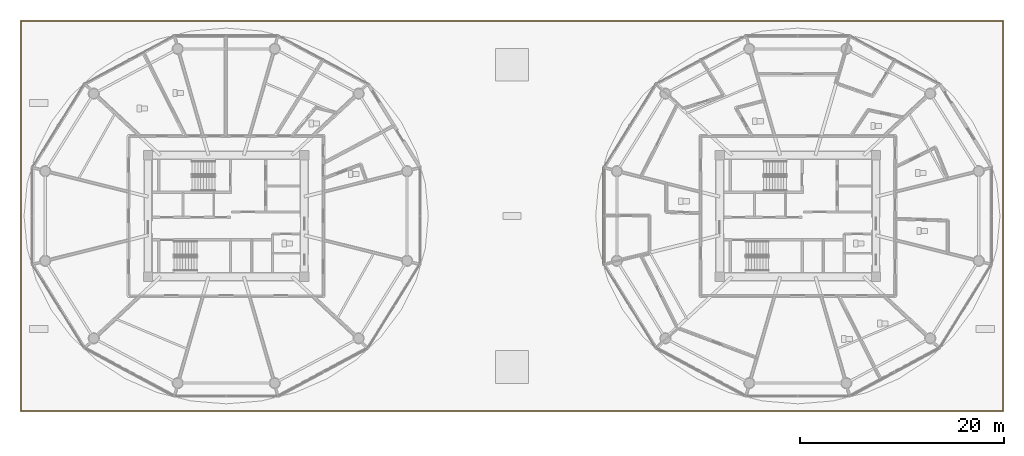
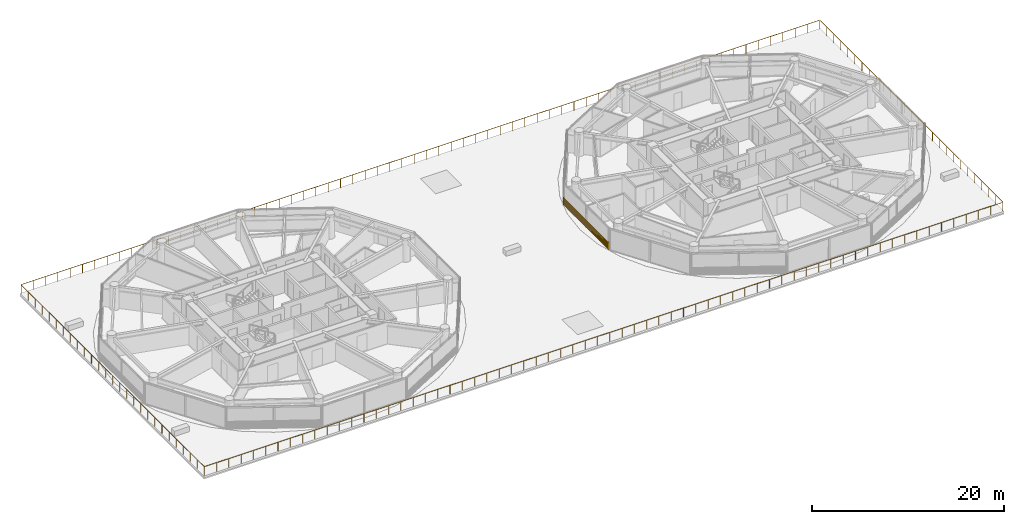
# One storey, part 26 of 32: 1 railing, 1 shading device.
"""IFC4 building model written with IfcOpenShell, lengths in metres."""

from ifc_helpers import new_model, si_unit, direction, frame, origin, origin_2d, place, context, subcontext, project, spatial, rectangle, extrude, source, transform, mapped, material, type_object, type_shapes, element, save


model = new_model("IFC4")

# Units and contexts
model_context = context("Model", 3, precision=1e-05, world=origin(), true_north=direction((0.0, 1.0)))
body_context = subcontext(model_context, "Body", "Model", "MODEL_VIEW")
ifc_project = project(units=[si_unit("LENGTHUNIT", "METRE"), si_unit("AREAUNIT", "SQUARE_METRE"), si_unit("VOLUMEUNIT", "CUBIC_METRE"), si_unit("PLANEANGLEUNIT", "RADIAN"), si_unit("MASSUNIT", "GRAM", prefix="KILO")], contexts=[model_context])

# Site, building, storey
site_placement = place(None, origin())
site = spatial("IfcSite", under=ifc_project, at=site_placement, CompositionType="ELEMENT")
building_placement = place(site_placement, origin())
building = spatial("IfcBuilding", under=site, at=building_placement, Name="Norrkilde Senior Care Towers", CompositionType="ELEMENT")
storey_placement = place(building_placement, frame((0.0, 0.0, 21.60009765625)))
storey = spatial("IfcBuildingStorey", under=building, at=storey_placement, Name="L05", CompositionType="ELEMENT", Elevation=21.60009765625)

# Railing
ifc_material_1 = material(Name="Anodised Aluminium", Category="aluminium")
railing_type = type_object("IfcRailingType", Name="Balcony Swirl Ribbon Guardrail 1150", PredefinedType="GUARDRAIL", material=ifc_material_1)
railing_placement = place(storey_placement, frame((-48.1201171875, -19.1201171875, 0.0)))
element("IfcRailing", 1, at=railing_placement, inside=storey, type_object=railing_type, Name="L05 Perimeter Safety Guard 01", PredefinedType="GUARDRAIL", context=body_context, shape_type="SweptSolid", body=[
    extrude(rectangle(XDim=0.048095703125, YDim=0.048095703125, at=origin_2d()), frame((0.0, 0.0, 1.1259765625), z_axis=(0.0, 1.0, 0.0), x_axis=(-1.0, 0.0, 0.0)), (0.0, 0.0, 1.0), 38.199462890625),
    extrude(rectangle(XDim=0.048095703125, YDim=0.048095703125, at=origin_2d()), frame((0.040771484375, 38.240234375, 1.1259765625), z_axis=(1.0, 0.0, 0.0), x_axis=(0.0, 1.0, 0.0)), (0.0, 0.0, 1.0), 96.158447265625),
    extrude(rectangle(XDim=0.048095703125, YDim=0.048095703125, at=origin_2d()), frame((96.240234375, 38.199462890625, 1.1259765625), z_axis=(0.0, -1.0, 0.0), x_axis=(1.0, 0.0, 0.0)), (0.0, 0.0, 1.0), 38.158447265625),
    extrude(rectangle(XDim=0.048095703125, YDim=0.048095703125, at=origin_2d()), frame((96.199462890625, 0.0, 1.1259765625), z_axis=(-1.0, 0.0, 0.0), x_axis=(0.0, -1.0, 0.0)), (0.0, 0.0, 1.0), 96.199462890625),
    extrude(rectangle(XDim=0.0419921875, YDim=0.0419921875, at=origin_2d()), origin(), (0.0, 0.0, 1.0), 1.099853515625),
    extrude(rectangle(XDim=0.0419921875, YDim=0.0419921875, at=origin_2d()), frame((0.0, 1.470703125, 0.0)), (0.0, 0.0, 1.0), 1.099853515625),
    extrude(rectangle(XDim=0.0419921875, YDim=0.0419921875, at=origin_2d()), frame((0.0, 2.941650390625, 0.0)), (0.0, 0.0, 1.0), 1.099853515625),
    extrude(rectangle(XDim=0.0419921875, YDim=0.0419921875, at=origin_2d()), frame((0.0, 4.412353515625, 0.0)), (0.0, 0.0, 1.0), 1.099853515625),
    extrude(rectangle(XDim=0.0419921875, YDim=0.0419921875, at=origin_2d()), frame((0.0, 5.883056640625, 0.0)), (0.0, 0.0, 1.0), 1.099853515625),
    extrude(rectangle(XDim=0.0419921875, YDim=0.0419921875, at=origin_2d()), frame((0.0, 7.35400390625, 0.0)), (0.0, 0.0, 1.0), 1.099853515625),
    extrude(rectangle(XDim=0.0419921875, YDim=0.0419921875, at=origin_2d()), frame((0.0, 8.82470703125, 0.0)), (0.0, 0.0, 1.0), 1.099853515625),
    extrude(rectangle(XDim=0.0419921875, YDim=0.0419921875, at=origin_2d()), frame((0.0, 10.29541015625, 0.0)), (0.0, 0.0, 1.0), 1.099853515625),
    extrude(rectangle(XDim=0.0419921875, YDim=0.0419921875, at=origin_2d()), frame((0.0, 11.76611328125, 0.0)), (0.0, 0.0, 1.0), 1.099853515625),
    extrude(rectangle(XDim=0.0419921875, YDim=0.0419921875, at=origin_2d()), frame((0.0, 13.237060546875, 0.0)), (0.0, 0.0, 1.0), 1.099853515625),
    extrude(rectangle(XDim=0.0419921875, YDim=0.0419921875, at=origin_2d()), frame((0.0, 14.707763671875, 0.0)), (0.0, 0.0, 1.0), 1.099853515625),
    extrude(rectangle(XDim=0.0419921875, YDim=0.0419921875, at=origin_2d()), frame((0.0, 16.178466796875, 0.0)), (0.0, 0.0, 1.0), 1.099853515625),
    extrude(rectangle(XDim=0.0419921875, YDim=0.0419921875, at=origin_2d()), frame((0.0, 17.6494140625, 0.0)), (0.0, 0.0, 1.0), 1.099853515625),
    extrude(rectangle(XDim=0.0419921875, YDim=0.0419921875, at=origin_2d()), frame((0.0, 19.1201171875, 0.0)), (0.0, 0.0, 1.0), 1.099853515625),
    extrude(rectangle(XDim=0.0419921875, YDim=0.0419921875, at=origin_2d()), frame((0.0, 20.5908203125, 0.0)), (0.0, 0.0, 1.0), 1.099853515625),
    extrude(rectangle(XDim=0.0419921875, YDim=0.0419921875, at=origin_2d()), frame((0.0, 22.061767578125, 0.0)), (0.0, 0.0, 1.0), 1.099853515625),
    extrude(rectangle(XDim=0.0419921875, YDim=0.0419921875, at=origin_2d()), frame((0.0, 23.532470703125, 0.0)), (0.0, 0.0, 1.0), 1.099853515625),
    extrude(rectangle(XDim=0.0419921875, YDim=0.0419921875, at=origin_2d()), frame((0.0, 25.003173828125, 0.0)), (0.0, 0.0, 1.0), 1.099853515625),
    extrude(rectangle(XDim=0.0419921875, YDim=0.0419921875, at=origin_2d()), frame((0.0, 26.47412109375, 0.0)), (0.0, 0.0, 1.0), 1.099853515625),
    extrude(rectangle(XDim=0.0419921875, YDim=0.0419921875, at=origin_2d()), frame((0.0, 27.94482421875, 0.0)), (0.0, 0.0, 1.0), 1.099853515625),
    extrude(rectangle(XDim=0.0419921875, YDim=0.0419921875, at=origin_2d()), frame((0.0, 29.41552734375, 0.0)), (0.0, 0.0, 1.0), 1.099853515625),
    extrude(rectangle(XDim=0.0419921875, YDim=0.0419921875, at=origin_2d()), frame((0.0, 30.88623046875, 0.0)), (0.0, 0.0, 1.0), 1.099853515625),
    extrude(rectangle(XDim=0.0419921875, YDim=0.0419921875, at=origin_2d()), frame((0.0, 32.357177734375, 0.0)), (0.0, 0.0, 1.0), 1.099853515625),
    extrude(rectangle(XDim=0.0419921875, YDim=0.0419921875, at=origin_2d()), frame((0.0, 33.827880859375, 0.0)), (0.0, 0.0, 1.0), 1.099853515625),
    extrude(rectangle(XDim=0.0419921875, YDim=0.0419921875, at=origin_2d()), frame((0.0, 35.298583984375, 0.0)), (0.0, 0.0, 1.0), 1.099853515625),
    extrude(rectangle(XDim=0.0419921875, YDim=0.0419921875, at=origin_2d()), frame((0.0, 36.76953125, 0.0)), (0.0, 0.0, 1.0), 1.099853515625),
    extrude(rectangle(XDim=0.0419921875, YDim=0.0419921875, at=origin_2d()), frame((0.0, 38.240234375, 0.0)), (0.0, 0.0, 1.0), 1.099853515625),
    extrude(rectangle(XDim=0.0419921875, YDim=0.0419921875, at=origin_2d()), frame((1.480712890625, 38.240234375, 0.0)), (0.0, 0.0, 1.0), 1.099853515625),
    extrude(rectangle(XDim=0.0419921875, YDim=0.0419921875, at=origin_2d()), frame((2.961181640625, 38.240234375, 0.0)), (0.0, 0.0, 1.0), 1.099853515625),
    extrude(rectangle(XDim=0.0419921875, YDim=0.0419921875, at=origin_2d()), frame((4.44189453125, 38.240234375, 0.0)), (0.0, 0.0, 1.0), 1.099853515625),
    extrude(rectangle(XDim=0.0419921875, YDim=0.0419921875, at=origin_2d()), frame((5.92236328125, 38.240234375, 0.0)), (0.0, 0.0, 1.0), 1.099853515625),
    extrude(rectangle(XDim=0.0419921875, YDim=0.0419921875, at=origin_2d()), frame((7.403076171875, 38.240234375, 0.0)), (0.0, 0.0, 1.0), 1.099853515625),
    extrude(rectangle(XDim=0.0419921875, YDim=0.0419921875, at=origin_2d()), frame((8.8837890625, 38.240234375, 0.0)), (0.0, 0.0, 1.0), 1.099853515625),
    extrude(rectangle(XDim=0.0419921875, YDim=0.0419921875, at=origin_2d()), frame((10.3642578125, 38.240234375, 0.0)), (0.0, 0.0, 1.0), 1.099853515625),
    extrude(rectangle(XDim=0.0419921875, YDim=0.0419921875, at=origin_2d()), frame((11.844970703125, 38.240234375, 0.0)), (0.0, 0.0, 1.0), 1.099853515625),
    extrude(rectangle(XDim=0.0419921875, YDim=0.0419921875, at=origin_2d()), frame((13.32568359375, 38.240234375, 0.0)), (0.0, 0.0, 1.0), 1.099853515625),
    extrude(rectangle(XDim=0.0419921875, YDim=0.0419921875, at=origin_2d()), frame((14.80615234375, 38.240234375, 0.0)), (0.0, 0.0, 1.0), 1.099853515625),
    extrude(rectangle(XDim=0.0419921875, YDim=0.0419921875, at=origin_2d()), frame((16.286865234375, 38.240234375, 0.0)), (0.0, 0.0, 1.0), 1.099853515625),
    extrude(rectangle(XDim=0.0419921875, YDim=0.0419921875, at=origin_2d()), frame((17.767333984375, 38.240234375, 0.0)), (0.0, 0.0, 1.0), 1.099853515625),
    extrude(rectangle(XDim=0.0419921875, YDim=0.0419921875, at=origin_2d()), frame((19.248046875, 38.240234375, 0.0)), (0.0, 0.0, 1.0), 1.099853515625),
    extrude(rectangle(XDim=0.0419921875, YDim=0.0419921875, at=origin_2d()), frame((20.728759765625, 38.240234375, 0.0)), (0.0, 0.0, 1.0), 1.099853515625),
    extrude(rectangle(XDim=0.0419921875, YDim=0.0419921875, at=origin_2d()), frame((22.209228515625, 38.240234375, 0.0)), (0.0, 0.0, 1.0), 1.099853515625),
    extrude(rectangle(XDim=0.0419921875, YDim=0.0419921875, at=origin_2d()), frame((23.68994140625, 38.240234375, 0.0)), (0.0, 0.0, 1.0), 1.099853515625),
    extrude(rectangle(XDim=0.0419921875, YDim=0.0419921875, at=origin_2d()), frame((25.17041015625, 38.240234375, 0.0)), (0.0, 0.0, 1.0), 1.099853515625),
    extrude(rectangle(XDim=0.0419921875, YDim=0.0419921875, at=origin_2d()), frame((26.651123046875, 38.240234375, 0.0)), (0.0, 0.0, 1.0), 1.099853515625),
    extrude(rectangle(XDim=0.0419921875, YDim=0.0419921875, at=origin_2d()), frame((28.1318359375, 38.240234375, 0.0)), (0.0, 0.0, 1.0), 1.099853515625),
    extrude(rectangle(XDim=0.0419921875, YDim=0.0419921875, at=origin_2d()), frame((29.6123046875, 38.240234375, 0.0)), (0.0, 0.0, 1.0), 1.099853515625),
    extrude(rectangle(XDim=0.0419921875, YDim=0.0419921875, at=origin_2d()), frame((31.093017578125, 38.240234375, 0.0)), (0.0, 0.0, 1.0), 1.099853515625),
    extrude(rectangle(XDim=0.0419921875, YDim=0.0419921875, at=origin_2d()), frame((32.57373046875, 38.240234375, 0.0)), (0.0, 0.0, 1.0), 1.099853515625),
    extrude(rectangle(XDim=0.0419921875, YDim=0.0419921875, at=origin_2d()), frame((34.05419921875, 38.240234375, 0.0)), (0.0, 0.0, 1.0), 1.099853515625),
    extrude(rectangle(XDim=0.0419921875, YDim=0.0419921875, at=origin_2d()), frame((35.534912109375, 38.240234375, 0.0)), (0.0, 0.0, 1.0), 1.099853515625),
    extrude(rectangle(XDim=0.0419921875, YDim=0.0419921875, at=origin_2d()), frame((37.015380859375, 38.240234375, 0.0)), (0.0, 0.0, 1.0), 1.099853515625),
    extrude(rectangle(XDim=0.0419921875, YDim=0.0419921875, at=origin_2d()), frame((38.49609375, 38.240234375, 0.0)), (0.0, 0.0, 1.0), 1.099853515625),
    extrude(rectangle(XDim=0.0419921875, YDim=0.0419921875, at=origin_2d()), frame((39.976806640625, 38.240234375, 0.0)), (0.0, 0.0, 1.0), 1.099853515625),
    extrude(rectangle(XDim=0.0419921875, YDim=0.0419921875, at=origin_2d()), frame((41.457275390625, 38.240234375, 0.0)), (0.0, 0.0, 1.0), 1.099853515625),
    extrude(rectangle(XDim=0.0419921875, YDim=0.0419921875, at=origin_2d()), frame((42.93798828125, 38.240234375, 0.0)), (0.0, 0.0, 1.0), 1.099853515625),
    extrude(rectangle(XDim=0.0419921875, YDim=0.0419921875, at=origin_2d()), frame((44.41845703125, 38.240234375, 0.0)), (0.0, 0.0, 1.0), 1.099853515625),
    extrude(rectangle(XDim=0.0419921875, YDim=0.0419921875, at=origin_2d()), frame((45.899169921875, 38.240234375, 0.0)), (0.0, 0.0, 1.0), 1.099853515625),
    extrude(rectangle(XDim=0.0419921875, YDim=0.0419921875, at=origin_2d()), frame((47.3798828125, 38.240234375, 0.0)), (0.0, 0.0, 1.0), 1.099853515625),
    extrude(rectangle(XDim=0.0419921875, YDim=0.0419921875, at=origin_2d()), frame((48.8603515625, 38.240234375, 0.0)), (0.0, 0.0, 1.0), 1.099853515625),
    extrude(rectangle(XDim=0.0419921875, YDim=0.0419921875, at=origin_2d()), frame((50.341064453125, 38.240234375, 0.0)), (0.0, 0.0, 1.0), 1.099853515625),
    extrude(rectangle(XDim=0.0419921875, YDim=0.0419921875, at=origin_2d()), frame((51.82177734375, 38.240234375, 0.0)), (0.0, 0.0, 1.0), 1.099853515625),
    extrude(rectangle(XDim=0.0419921875, YDim=0.0419921875, at=origin_2d()), frame((53.30224609375, 38.240234375, 0.0)), (0.0, 0.0, 1.0), 1.099853515625),
    extrude(rectangle(XDim=0.0419921875, YDim=0.0419921875, at=origin_2d()), frame((54.782958984375, 38.240234375, 0.0)), (0.0, 0.0, 1.0), 1.099853515625),
    extrude(rectangle(XDim=0.0419921875, YDim=0.0419921875, at=origin_2d()), frame((56.263427734375, 38.240234375, 0.0)), (0.0, 0.0, 1.0), 1.099853515625),
    extrude(rectangle(XDim=0.0419921875, YDim=0.0419921875, at=origin_2d()), frame((57.744140625, 38.240234375, 0.0)), (0.0, 0.0, 1.0), 1.099853515625),
    extrude(rectangle(XDim=0.0419921875, YDim=0.0419921875, at=origin_2d()), frame((59.224853515625, 38.240234375, 0.0)), (0.0, 0.0, 1.0), 1.099853515625),
    extrude(rectangle(XDim=0.0419921875, YDim=0.0419921875, at=origin_2d()), frame((60.705322265625, 38.240234375, 0.0)), (0.0, 0.0, 1.0), 1.099853515625),
    extrude(rectangle(XDim=0.0419921875, YDim=0.0419921875, at=origin_2d()), frame((62.18603515625, 38.240234375, 0.0)), (0.0, 0.0, 1.0), 1.099853515625),
    extrude(rectangle(XDim=0.0419921875, YDim=0.0419921875, at=origin_2d()), frame((63.66650390625, 38.240234375, 0.0)), (0.0, 0.0, 1.0), 1.099853515625),
    extrude(rectangle(XDim=0.0419921875, YDim=0.0419921875, at=origin_2d()), frame((65.147216796875, 38.240234375, 0.0)), (0.0, 0.0, 1.0), 1.099853515625),
    extrude(rectangle(XDim=0.0419921875, YDim=0.0419921875, at=origin_2d()), frame((66.6279296875, 38.240234375, 0.0)), (0.0, 0.0, 1.0), 1.099853515625),
    extrude(rectangle(XDim=0.0419921875, YDim=0.0419921875, at=origin_2d()), frame((68.1083984375, 38.240234375, 0.0)), (0.0, 0.0, 1.0), 1.099853515625),
    extrude(rectangle(XDim=0.0419921875, YDim=0.0419921875, at=origin_2d()), frame((69.589111328125, 38.240234375, 0.0)), (0.0, 0.0, 1.0), 1.099853515625),
    extrude(rectangle(XDim=0.0419921875, YDim=0.0419921875, at=origin_2d()), frame((71.06982421875, 38.240234375, 0.0)), (0.0, 0.0, 1.0), 1.099853515625),
    extrude(rectangle(XDim=0.0419921875, YDim=0.0419921875, at=origin_2d()), frame((72.55029296875, 38.240234375, 0.0)), (0.0, 0.0, 1.0), 1.099853515625),
    extrude(rectangle(XDim=0.0419921875, YDim=0.0419921875, at=origin_2d()), frame((74.031005859375, 38.240234375, 0.0)), (0.0, 0.0, 1.0), 1.099853515625),
    extrude(rectangle(XDim=0.0419921875, YDim=0.0419921875, at=origin_2d()), frame((75.511474609375, 38.240234375, 0.0)), (0.0, 0.0, 1.0), 1.099853515625),
    extrude(rectangle(XDim=0.0419921875, YDim=0.0419921875, at=origin_2d()), frame((76.9921875, 38.240234375, 0.0)), (0.0, 0.0, 1.0), 1.099853515625),
    extrude(rectangle(XDim=0.0419921875, YDim=0.0419921875, at=origin_2d()), frame((78.472900390625, 38.240234375, 0.0)), (0.0, 0.0, 1.0), 1.099853515625),
    extrude(rectangle(XDim=0.0419921875, YDim=0.0419921875, at=origin_2d()), frame((79.953369140625, 38.240234375, 0.0)), (0.0, 0.0, 1.0), 1.099853515625),
    extrude(rectangle(XDim=0.0419921875, YDim=0.0419921875, at=origin_2d()), frame((81.43408203125, 38.240234375, 0.0)), (0.0, 0.0, 1.0), 1.099853515625),
    extrude(rectangle(XDim=0.0419921875, YDim=0.0419921875, at=origin_2d()), frame((82.91455078125, 38.240234375, 0.0)), (0.0, 0.0, 1.0), 1.099853515625),
    extrude(rectangle(XDim=0.0419921875, YDim=0.0419921875, at=origin_2d()), frame((84.395263671875, 38.240234375, 0.0)), (0.0, 0.0, 1.0), 1.099853515625),
    extrude(rectangle(XDim=0.0419921875, YDim=0.0419921875, at=origin_2d()), frame((85.8759765625, 38.240234375, 0.0)), (0.0, 0.0, 1.0), 1.099853515625),
    extrude(rectangle(XDim=0.0419921875, YDim=0.0419921875, at=origin_2d()), frame((87.3564453125, 38.240234375, 0.0)), (0.0, 0.0, 1.0), 1.099853515625),
    extrude(rectangle(XDim=0.0419921875, YDim=0.0419921875, at=origin_2d()), frame((88.837158203125, 38.240234375, 0.0)), (0.0, 0.0, 1.0), 1.099853515625),
    extrude(rectangle(XDim=0.0419921875, YDim=0.0419921875, at=origin_2d()), frame((90.31787109375, 38.240234375, 0.0)), (0.0, 0.0, 1.0), 1.099853515625),
    extrude(rectangle(XDim=0.0419921875, YDim=0.0419921875, at=origin_2d()), frame((91.79833984375, 38.240234375, 0.0)), (0.0, 0.0, 1.0), 1.099853515625),
    extrude(rectangle(XDim=0.0419921875, YDim=0.0419921875, at=origin_2d()), frame((93.279052734375, 38.240234375, 0.0)), (0.0, 0.0, 1.0), 1.099853515625),
    extrude(rectangle(XDim=0.0419921875, YDim=0.0419921875, at=origin_2d()), frame((94.759521484375, 38.240234375, 0.0)), (0.0, 0.0, 1.0), 1.099853515625),
    extrude(rectangle(XDim=0.0419921875, YDim=0.0419921875, at=origin_2d()), frame((96.240234375, 38.240234375, 0.0)), (0.0, 0.0, 1.0), 1.099853515625),
    extrude(rectangle(XDim=0.0419921875, YDim=0.0419921875, at=origin_2d()), frame((96.240234375, 36.76953125, 0.0)), (0.0, 0.0, 1.0), 1.099853515625),
    extrude(rectangle(XDim=0.0419921875, YDim=0.0419921875, at=origin_2d()), frame((96.240234375, 35.298583984375, 0.0)), (0.0, 0.0, 1.0), 1.099853515625),
    extrude(rectangle(XDim=0.0419921875, YDim=0.0419921875, at=origin_2d()), frame((96.240234375, 33.827880859375, 0.0)), (0.0, 0.0, 1.0), 1.099853515625),
    extrude(rectangle(XDim=0.0419921875, YDim=0.0419921875, at=origin_2d()), frame((96.240234375, 32.357177734375, 0.0)), (0.0, 0.0, 1.0), 1.099853515625),
    extrude(rectangle(XDim=0.0419921875, YDim=0.0419921875, at=origin_2d()), frame((96.240234375, 30.88623046875, 0.0)), (0.0, 0.0, 1.0), 1.099853515625),
    extrude(rectangle(XDim=0.0419921875, YDim=0.0419921875, at=origin_2d()), frame((96.240234375, 29.41552734375, 0.0)), (0.0, 0.0, 1.0), 1.099853515625),
    extrude(rectangle(XDim=0.0419921875, YDim=0.0419921875, at=origin_2d()), frame((96.240234375, 27.94482421875, 0.0)), (0.0, 0.0, 1.0), 1.099853515625),
    extrude(rectangle(XDim=0.0419921875, YDim=0.0419921875, at=origin_2d()), frame((96.240234375, 26.47412109375, 0.0)), (0.0, 0.0, 1.0), 1.099853515625),
    extrude(rectangle(XDim=0.0419921875, YDim=0.0419921875, at=origin_2d()), frame((96.240234375, 25.003173828125, 0.0)), (0.0, 0.0, 1.0), 1.099853515625),
    extrude(rectangle(XDim=0.0419921875, YDim=0.0419921875, at=origin_2d()), frame((96.240234375, 23.532470703125, 0.0)), (0.0, 0.0, 1.0), 1.099853515625),
    extrude(rectangle(XDim=0.0419921875, YDim=0.0419921875, at=origin_2d()), frame((96.240234375, 22.061767578125, 0.0)), (0.0, 0.0, 1.0), 1.099853515625),
    extrude(rectangle(XDim=0.0419921875, YDim=0.0419921875, at=origin_2d()), frame((96.240234375, 20.5908203125, 0.0)), (0.0, 0.0, 1.0), 1.099853515625),
    extrude(rectangle(XDim=0.0419921875, YDim=0.0419921875, at=origin_2d()), frame((96.240234375, 19.1201171875, 0.0)), (0.0, 0.0, 1.0), 1.099853515625),
    extrude(rectangle(XDim=0.0419921875, YDim=0.0419921875, at=origin_2d()), frame((96.240234375, 17.6494140625, 0.0)), (0.0, 0.0, 1.0), 1.099853515625),
    extrude(rectangle(XDim=0.0419921875, YDim=0.0419921875, at=origin_2d()), frame((96.240234375, 16.178466796875, 0.0)), (0.0, 0.0, 1.0), 1.099853515625),
    extrude(rectangle(XDim=0.0419921875, YDim=0.0419921875, at=origin_2d()), frame((96.240234375, 14.707763671875, 0.0)), (0.0, 0.0, 1.0), 1.099853515625),
    extrude(rectangle(XDim=0.0419921875, YDim=0.0419921875, at=origin_2d()), frame((96.240234375, 13.237060546875, 0.0)), (0.0, 0.0, 1.0), 1.099853515625),
    extrude(rectangle(XDim=0.0419921875, YDim=0.0419921875, at=origin_2d()), frame((96.240234375, 11.76611328125, 0.0)), (0.0, 0.0, 1.0), 1.099853515625),
    extrude(rectangle(XDim=0.0419921875, YDim=0.0419921875, at=origin_2d()), frame((96.240234375, 10.29541015625, 0.0)), (0.0, 0.0, 1.0), 1.099853515625),
    extrude(rectangle(XDim=0.0419921875, YDim=0.0419921875, at=origin_2d()), frame((96.240234375, 8.82470703125, 0.0)), (0.0, 0.0, 1.0), 1.099853515625),
    extrude(rectangle(XDim=0.0419921875, YDim=0.0419921875, at=origin_2d()), frame((96.240234375, 7.35400390625, 0.0)), (0.0, 0.0, 1.0), 1.099853515625),
    extrude(rectangle(XDim=0.0419921875, YDim=0.0419921875, at=origin_2d()), frame((96.240234375, 5.883056640625, 0.0)), (0.0, 0.0, 1.0), 1.099853515625),
    extrude(rectangle(XDim=0.0419921875, YDim=0.0419921875, at=origin_2d()), frame((96.240234375, 4.412353515625, 0.0)), (0.0, 0.0, 1.0), 1.099853515625),
    extrude(rectangle(XDim=0.0419921875, YDim=0.0419921875, at=origin_2d()), frame((96.240234375, 2.941650390625, 0.0)), (0.0, 0.0, 1.0), 1.099853515625),
    extrude(rectangle(XDim=0.0419921875, YDim=0.0419921875, at=origin_2d()), frame((96.240234375, 1.470703125, 0.0)), (0.0, 0.0, 1.0), 1.099853515625),
    extrude(rectangle(XDim=0.0419921875, YDim=0.0419921875, at=origin_2d()), frame((96.240234375, 0.0, 0.0)), (0.0, 0.0, 1.0), 1.099853515625),
    extrude(rectangle(XDim=0.0419921875, YDim=0.0419921875, at=origin_2d()), frame((94.759521484375, 0.0, 0.0)), (0.0, 0.0, 1.0), 1.099853515625),
    extrude(rectangle(XDim=0.0419921875, YDim=0.0419921875, at=origin_2d()), frame((93.279052734375, 0.0, 0.0)), (0.0, 0.0, 1.0), 1.099853515625),
    extrude(rectangle(XDim=0.0419921875, YDim=0.0419921875, at=origin_2d()), frame((91.79833984375, 0.0, 0.0)), (0.0, 0.0, 1.0), 1.099853515625),
    extrude(rectangle(XDim=0.0419921875, YDim=0.0419921875, at=origin_2d()), frame((90.31787109375, 0.0, 0.0)), (0.0, 0.0, 1.0), 1.099853515625),
    extrude(rectangle(XDim=0.0419921875, YDim=0.0419921875, at=origin_2d()), frame((88.837158203125, 0.0, 0.0)), (0.0, 0.0, 1.0), 1.099853515625),
    extrude(rectangle(XDim=0.0419921875, YDim=0.0419921875, at=origin_2d()), frame((87.3564453125, 0.0, 0.0)), (0.0, 0.0, 1.0), 1.099853515625),
    extrude(rectangle(XDim=0.0419921875, YDim=0.0419921875, at=origin_2d()), frame((85.8759765625, 0.0, 0.0)), (0.0, 0.0, 1.0), 1.099853515625),
    extrude(rectangle(XDim=0.0419921875, YDim=0.0419921875, at=origin_2d()), frame((84.395263671875, 0.0, 0.0)), (0.0, 0.0, 1.0), 1.099853515625),
    extrude(rectangle(XDim=0.0419921875, YDim=0.0419921875, at=origin_2d()), frame((82.91455078125, 0.0, 0.0)), (0.0, 0.0, 1.0), 1.099853515625),
    extrude(rectangle(XDim=0.0419921875, YDim=0.0419921875, at=origin_2d()), frame((81.43408203125, 0.0, 0.0)), (0.0, 0.0, 1.0), 1.099853515625),
    extrude(rectangle(XDim=0.0419921875, YDim=0.0419921875, at=origin_2d()), frame((79.953369140625, 0.0, 0.0)), (0.0, 0.0, 1.0), 1.099853515625),
    extrude(rectangle(XDim=0.0419921875, YDim=0.0419921875, at=origin_2d()), frame((78.472900390625, 0.0, 0.0)), (0.0, 0.0, 1.0), 1.099853515625),
    extrude(rectangle(XDim=0.0419921875, YDim=0.0419921875, at=origin_2d()), frame((76.9921875, 0.0, 0.0)), (0.0, 0.0, 1.0), 1.099853515625),
    extrude(rectangle(XDim=0.0419921875, YDim=0.0419921875, at=origin_2d()), frame((75.511474609375, 0.0, 0.0)), (0.0, 0.0, 1.0), 1.099853515625),
    extrude(rectangle(XDim=0.0419921875, YDim=0.0419921875, at=origin_2d()), frame((74.031005859375, 0.0, 0.0)), (0.0, 0.0, 1.0), 1.099853515625),
    extrude(rectangle(XDim=0.0419921875, YDim=0.0419921875, at=origin_2d()), frame((72.55029296875, 0.0, 0.0)), (0.0, 0.0, 1.0), 1.099853515625),
    extrude(rectangle(XDim=0.0419921875, YDim=0.0419921875, at=origin_2d()), frame((71.06982421875, 0.0, 0.0)), (0.0, 0.0, 1.0), 1.099853515625),
    extrude(rectangle(XDim=0.0419921875, YDim=0.0419921875, at=origin_2d()), frame((69.589111328125, 0.0, 0.0)), (0.0, 0.0, 1.0), 1.099853515625),
    extrude(rectangle(XDim=0.0419921875, YDim=0.0419921875, at=origin_2d()), frame((68.1083984375, 0.0, 0.0)), (0.0, 0.0, 1.0), 1.099853515625),
    extrude(rectangle(XDim=0.0419921875, YDim=0.0419921875, at=origin_2d()), frame((66.6279296875, 0.0, 0.0)), (0.0, 0.0, 1.0), 1.099853515625),
    extrude(rectangle(XDim=0.0419921875, YDim=0.0419921875, at=origin_2d()), frame((65.147216796875, 0.0, 0.0)), (0.0, 0.0, 1.0), 1.099853515625),
    extrude(rectangle(XDim=0.0419921875, YDim=0.0419921875, at=origin_2d()), frame((63.66650390625, 0.0, 0.0)), (0.0, 0.0, 1.0), 1.099853515625),
    extrude(rectangle(XDim=0.0419921875, YDim=0.0419921875, at=origin_2d()), frame((62.18603515625, 0.0, 0.0)), (0.0, 0.0, 1.0), 1.099853515625),
    extrude(rectangle(XDim=0.0419921875, YDim=0.0419921875, at=origin_2d()), frame((60.705322265625, 0.0, 0.0)), (0.0, 0.0, 1.0), 1.099853515625),
    extrude(rectangle(XDim=0.0419921875, YDim=0.0419921875, at=origin_2d()), frame((59.224853515625, 0.0, 0.0)), (0.0, 0.0, 1.0), 1.099853515625),
    extrude(rectangle(XDim=0.0419921875, YDim=0.0419921875, at=origin_2d()), frame((57.744140625, 0.0, 0.0)), (0.0, 0.0, 1.0), 1.099853515625),
    extrude(rectangle(XDim=0.0419921875, YDim=0.0419921875, at=origin_2d()), frame((56.263427734375, 0.0, 0.0)), (0.0, 0.0, 1.0), 1.099853515625),
    extrude(rectangle(XDim=0.0419921875, YDim=0.0419921875, at=origin_2d()), frame((54.782958984375, 0.0, 0.0)), (0.0, 0.0, 1.0), 1.099853515625),
    extrude(rectangle(XDim=0.0419921875, YDim=0.0419921875, at=origin_2d()), frame((53.30224609375, 0.0, 0.0)), (0.0, 0.0, 1.0), 1.099853515625),
    extrude(rectangle(XDim=0.0419921875, YDim=0.0419921875, at=origin_2d()), frame((51.82177734375, 0.0, 0.0)), (0.0, 0.0, 1.0), 1.099853515625),
    extrude(rectangle(XDim=0.0419921875, YDim=0.0419921875, at=origin_2d()), frame((50.341064453125, 0.0, 0.0)), (0.0, 0.0, 1.0), 1.099853515625),
    extrude(rectangle(XDim=0.0419921875, YDim=0.0419921875, at=origin_2d()), frame((48.8603515625, 0.0, 0.0)), (0.0, 0.0, 1.0), 1.099853515625),
    extrude(rectangle(XDim=0.0419921875, YDim=0.0419921875, at=origin_2d()), frame((47.3798828125, 0.0, 0.0)), (0.0, 0.0, 1.0), 1.099853515625),
    extrude(rectangle(XDim=0.0419921875, YDim=0.0419921875, at=origin_2d()), frame((45.899169921875, 0.0, 0.0)), (0.0, 0.0, 1.0), 1.099853515625),
    extrude(rectangle(XDim=0.0419921875, YDim=0.0419921875, at=origin_2d()), frame((44.41845703125, 0.0, 0.0)), (0.0, 0.0, 1.0), 1.099853515625),
    extrude(rectangle(XDim=0.0419921875, YDim=0.0419921875, at=origin_2d()), frame((42.93798828125, 0.0, 0.0)), (0.0, 0.0, 1.0), 1.099853515625),
    extrude(rectangle(XDim=0.0419921875, YDim=0.0419921875, at=origin_2d()), frame((41.457275390625, 0.0, 0.0)), (0.0, 0.0, 1.0), 1.099853515625),
    extrude(rectangle(XDim=0.0419921875, YDim=0.0419921875, at=origin_2d()), frame((39.976806640625, 0.0, 0.0)), (0.0, 0.0, 1.0), 1.099853515625),
    extrude(rectangle(XDim=0.0419921875, YDim=0.0419921875, at=origin_2d()), frame((38.49609375, 0.0, 0.0)), (0.0, 0.0, 1.0), 1.099853515625),
    extrude(rectangle(XDim=0.0419921875, YDim=0.0419921875, at=origin_2d()), frame((37.015380859375, 0.0, 0.0)), (0.0, 0.0, 1.0), 1.099853515625),
    extrude(rectangle(XDim=0.0419921875, YDim=0.0419921875, at=origin_2d()), frame((35.534912109375, 0.0, 0.0)), (0.0, 0.0, 1.0), 1.099853515625),
    extrude(rectangle(XDim=0.0419921875, YDim=0.0419921875, at=origin_2d()), frame((34.05419921875, 0.0, 0.0)), (0.0, 0.0, 1.0), 1.099853515625),
    extrude(rectangle(XDim=0.0419921875, YDim=0.0419921875, at=origin_2d()), frame((32.57373046875, 0.0, 0.0)), (0.0, 0.0, 1.0), 1.099853515625),
    extrude(rectangle(XDim=0.0419921875, YDim=0.0419921875, at=origin_2d()), frame((31.093017578125, 0.0, 0.0)), (0.0, 0.0, 1.0), 1.099853515625),
    extrude(rectangle(XDim=0.0419921875, YDim=0.0419921875, at=origin_2d()), frame((29.6123046875, 0.0, 0.0)), (0.0, 0.0, 1.0), 1.099853515625),
    extrude(rectangle(XDim=0.0419921875, YDim=0.0419921875, at=origin_2d()), frame((28.1318359375, 0.0, 0.0)), (0.0, 0.0, 1.0), 1.099853515625),
    extrude(rectangle(XDim=0.0419921875, YDim=0.0419921875, at=origin_2d()), frame((26.651123046875, 0.0, 0.0)), (0.0, 0.0, 1.0), 1.099853515625),
    extrude(rectangle(XDim=0.0419921875, YDim=0.0419921875, at=origin_2d()), frame((25.17041015625, 0.0, 0.0)), (0.0, 0.0, 1.0), 1.099853515625),
    extrude(rectangle(XDim=0.0419921875, YDim=0.0419921875, at=origin_2d()), frame((23.68994140625, 0.0, 0.0)), (0.0, 0.0, 1.0), 1.099853515625),
    extrude(rectangle(XDim=0.0419921875, YDim=0.0419921875, at=origin_2d()), frame((22.209228515625, 0.0, 0.0)), (0.0, 0.0, 1.0), 1.099853515625),
    extrude(rectangle(XDim=0.0419921875, YDim=0.0419921875, at=origin_2d()), frame((20.728759765625, 0.0, 0.0)), (0.0, 0.0, 1.0), 1.099853515625),
    extrude(rectangle(XDim=0.0419921875, YDim=0.0419921875, at=origin_2d()), frame((19.248046875, 0.0, 0.0)), (0.0, 0.0, 1.0), 1.099853515625),
    extrude(rectangle(XDim=0.0419921875, YDim=0.0419921875, at=origin_2d()), frame((17.767333984375, 0.0, 0.0)), (0.0, 0.0, 1.0), 1.099853515625),
    extrude(rectangle(XDim=0.0419921875, YDim=0.0419921875, at=origin_2d()), frame((16.286865234375, 0.0, 0.0)), (0.0, 0.0, 1.0), 1.099853515625),
    extrude(rectangle(XDim=0.0419921875, YDim=0.0419921875, at=origin_2d()), frame((14.80615234375, 0.0, 0.0)), (0.0, 0.0, 1.0), 1.099853515625),
    extrude(rectangle(XDim=0.0419921875, YDim=0.0419921875, at=origin_2d()), frame((13.32568359375, 0.0, 0.0)), (0.0, 0.0, 1.0), 1.099853515625),
    extrude(rectangle(XDim=0.0419921875, YDim=0.0419921875, at=origin_2d()), frame((11.844970703125, 0.0, 0.0)), (0.0, 0.0, 1.0), 1.099853515625),
    extrude(rectangle(XDim=0.0419921875, YDim=0.0419921875, at=origin_2d()), frame((10.3642578125, 0.0, 0.0)), (0.0, 0.0, 1.0), 1.099853515625),
    extrude(rectangle(XDim=0.0419921875, YDim=0.0419921875, at=origin_2d()), frame((8.8837890625, 0.0, 0.0)), (0.0, 0.0, 1.0), 1.099853515625),
    extrude(rectangle(XDim=0.0419921875, YDim=0.0419921875, at=origin_2d()), frame((7.403076171875, 0.0, 0.0)), (0.0, 0.0, 1.0), 1.099853515625),
    extrude(rectangle(XDim=0.0419921875, YDim=0.0419921875, at=origin_2d()), frame((5.92236328125, 0.0, 0.0)), (0.0, 0.0, 1.0), 1.099853515625),
    extrude(rectangle(XDim=0.0419921875, YDim=0.0419921875, at=origin_2d()), frame((4.44189453125, 0.0, 0.0)), (0.0, 0.0, 1.0), 1.099853515625),
    extrude(rectangle(XDim=0.0419921875, YDim=0.0419921875, at=origin_2d()), frame((2.961181640625, 0.0, 0.0)), (0.0, 0.0, 1.0), 1.099853515625),
    extrude(rectangle(XDim=0.0419921875, YDim=0.0419921875, at=origin_2d()), frame((1.480712890625, 0.0, 0.0)), (0.0, 0.0, 1.0), 1.099853515625),
])

# Shading device
ifc_material_2 = material(Name="Architectural Terracotta", Category="masonry")
shading_device_type = type_object("IfcShadingDeviceType", Name="Horizontal Terracotta Baguette Rack", PredefinedType="USERDEFINED", material=ifc_material_2)
shared_shape = source(origin(), body_context, "Body", "SweptSolid", [
    extrude(rectangle(XDim=0.070068359375, YDim=0.110107421875, at=origin_2d()), frame((0.0, 0.090087890625, 0.125), z_axis=(1.0, 0.0, 0.0), x_axis=(0.0, 1.0, 0.0)), (0.0, 0.0, 1.0), 9.46240234375),
    extrude(rectangle(XDim=0.070068359375, YDim=0.110107421875, at=origin_2d()), frame((0.0, 0.090087890625, 0.375), z_axis=(1.0, 0.0, 0.0), x_axis=(0.0, 1.0, 0.0)), (0.0, 0.0, 1.0), 9.46240234375),
    extrude(rectangle(XDim=0.070068359375, YDim=0.110107421875, at=origin_2d()), frame((0.0, 0.090087890625, 0.625), z_axis=(1.0, 0.0, 0.0), x_axis=(0.0, 1.0, 0.0)), (0.0, 0.0, 1.0), 9.46240234375),
    extrude(rectangle(XDim=0.070068359375, YDim=0.110107421875, at=origin_2d()), frame((0.0, 0.090087890625, 0.875), z_axis=(1.0, 0.0, 0.0), x_axis=(0.0, 1.0, 0.0)), (0.0, 0.0, 1.0), 9.46240234375),
    extrude(rectangle(XDim=0.050048828125, YDim=0.1552734375, at=origin_2d()), frame((0.02490234375, 0.047607421875, 0.0)), (0.0, 0.0, 1.0), 1.0),
    extrude(rectangle(XDim=0.050048828125, YDim=0.1552734375, at=origin_2d()), frame((9.4375, 0.047607421875, 0.0)), (0.0, 0.0, 1.0), 1.0),
])
type_shapes(shading_device_type, [shared_shape])
shading_device_placement = place(storey_placement, frame((8.990478515625, -4.731201171875, 0.079833984375), z_axis=(0.0, 0.0, 1.0), x_axis=(0.0, 1.0, 0.0)))
element("IfcShadingDevice", 2, at=shading_device_placement, inside=storey, type_object=shading_device_type, Name="L05 Drum E Terracotta Baguette Screen 05", ObjectType="BAGUETTE", PredefinedType="USERDEFINED", context=body_context, shape_type="MappedRepresentation", body=[
    mapped(shared_shape, transform((0.0, 0.0, 0.0), x_axis=(1.0, 0.0, 0.0), y_axis=(0.0, 1.0, 0.0), z_axis=(0.0, 0.0, 1.0), scale=1.0)),
])

save(model, "model.ifc")
